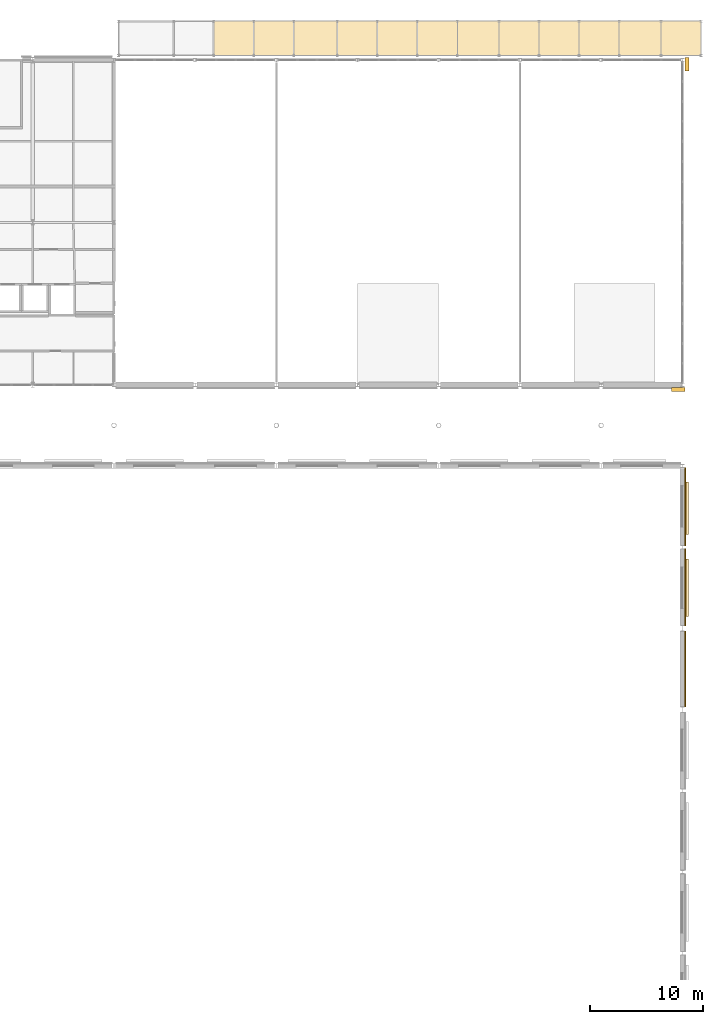
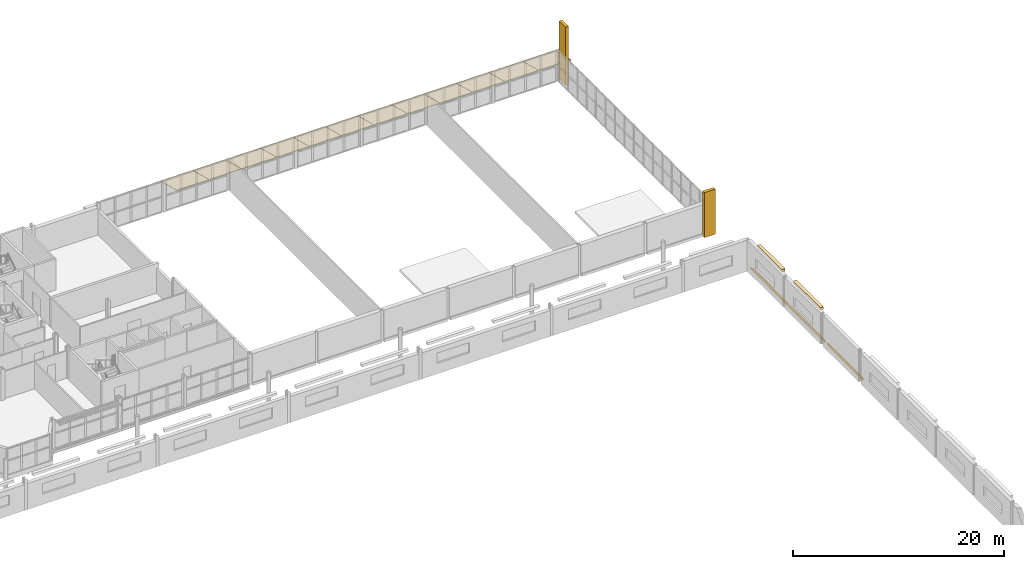
# One storey, part 120 of 124: 19 coverings.
"""IFC4 building model written with IfcOpenShell, lengths in metres."""

from ifc_helpers import new_model, si_unit, direction, frame, origin, origin_2d, place, context, subcontext, project, spatial, polyline, rectangle, outline, extrude, material, layer, layer_set, type_object, element, save


model = new_model("IFC4")

# Units and contexts
model_context = context("Model", 3, precision=1e-05, world=origin(), true_north=direction((0.0, 1.0)))
body_context = subcontext(model_context, "Body", "Model", "MODEL_VIEW")
ifc_project = project(units=[si_unit("LENGTHUNIT", "METRE"), si_unit("AREAUNIT", "SQUARE_METRE"), si_unit("VOLUMEUNIT", "CUBIC_METRE"), si_unit("PLANEANGLEUNIT", "RADIAN"), si_unit("MASSUNIT", "GRAM", prefix="KILO")], contexts=[model_context])

# Site, building, storey
site_placement = place(None, origin())
site = spatial("IfcSite", under=ifc_project, at=site_placement, CompositionType="ELEMENT")
building_placement = place(site_placement, origin())
building = spatial("IfcBuilding", under=site, at=building_placement, Name="Kupolbacken Congress Centre", CompositionType="ELEMENT")
storey_placement = place(building_placement, frame((0.0, 0.0, 10.800048828125)))
storey = spatial("IfcBuildingStorey", under=building, at=storey_placement, Name="L03", CompositionType="ELEMENT", Elevation=10.800048828125)

# Coverings
ifc_material_1 = material(Name="Brick cladding", Category="masonry")
ifc_layer_1 = layer(ifc_material_1, 0.10791015625)
ifc_layer_set_1 = layer_set([ifc_layer_1], Name="Brick cladding")
covering_type_1 = type_object("IfcCoveringType", Name="CV2 brick cladding band 108", PredefinedType="CLADDING", material=ifc_layer_set_1)
covering_1_placement = place(storey_placement, frame((201.864013671875, 97.199951171875, 0.0), z_axis=(0.0, 0.0, 1.0), x_axis=(0.0, 1.0, 0.0)))
element("IfcCovering", 1, at=covering_1_placement, inside=storey, type_object=covering_type_1, Name="E/H/E/L03/350/band", PredefinedType="CLADDING", context=body_context, shape_type="SweptSolid", body=[
    extrude(rectangle(XDim=6.7099609375, YDim=0.10791015625, at=origin_2d()), origin(), (0.0, 0.0, 1.0), 0.300048828125),
])
covering_2_placement = place(storey_placement, frame((201.864013671875, 104.449951171875, 0.0), z_axis=(0.0, 0.0, 1.0), x_axis=(0.0, 1.0, 0.0)))
element("IfcCovering", 2, at=covering_2_placement, inside=storey, type_object=covering_type_1, Name="E/H/E/L03/351/band", PredefinedType="CLADDING", context=body_context, shape_type="SweptSolid", body=[
    extrude(rectangle(XDim=6.81005859375, YDim=0.10791015625, at=origin_2d()), origin(), (0.0, 0.0, 1.0), 0.300048828125),
])
covering_3_placement = place(storey_placement, frame((201.864013671875, 111.60009765625, 0.0), z_axis=(0.0, 0.0, 1.0), x_axis=(0.0, 1.0, 0.0)))
element("IfcCovering", 3, at=covering_3_placement, inside=storey, type_object=covering_type_1, Name="E/H/E/L03/352/band", PredefinedType="CLADDING", context=body_context, shape_type="SweptSolid", body=[
    extrude(rectangle(XDim=6.909912109375, YDim=0.10791015625, at=origin_2d()), origin(), (0.0, 0.0, 1.0), 0.300048828125),
])
ifc_material_2 = material(Name="Limestone cladding", Category="masonry")
ifc_layer_2 = layer(ifc_material_2, 0.35009765625)
ifc_layer_set_2 = layer_set([ifc_layer_2], Name="Limestone cladding")
covering_type_2 = type_object("IfcCoveringType", Name="CV3 limestone pilaster strip 350", PredefinedType="CLADDING", material=ifc_layer_set_2)
covering_4_placement = place(storey_placement, frame((201.239990234375, 121.985107421875, 0.0), z_axis=(0.0, 0.0, 1.0), x_axis=(1.0, 0.0, 0.0)))
element("IfcCovering", 4, at=covering_4_placement, inside=storey, type_object=covering_type_2, Name="F/B/S/pil/09/0", PredefinedType="CLADDING", context=body_context, shape_type="SweptSolid", body=[
    extrude(rectangle(XDim=1.199951171875, YDim=0.35009765625, at=origin_2d()), origin(), (0.0, 0.0, 1.0), 5.199951171875),
])
covering_5_placement = place(storey_placement, frame((202.014892578125, 150.840087890625, 0.0), z_axis=(0.0, 0.0, 1.0), x_axis=(0.0, 1.0, 0.0)))
element("IfcCovering", 5, at=covering_5_placement, inside=storey, type_object=covering_type_2, Name="F/B/E/pil/04/0", PredefinedType="CLADDING", context=body_context, shape_type="SweptSolid", body=[
    extrude(rectangle(XDim=1.199951171875, YDim=0.35009765625, at=origin_2d()), origin(), (0.0, 0.0, 1.0), 6.699951171875),
])
covering_6_placement = place(storey_placement, frame((201.985107421875, 104.39990234375, 3.2998046875), z_axis=(0.0, 0.0, 1.0), x_axis=(0.0, 1.0, 0.0)))
element("IfcCovering", 6, at=covering_6_placement, inside=storey, type_object=covering_type_2, Name="F/HR/H/E/string/14.4/08/1", PredefinedType="CLADDING", context=body_context, shape_type="SweptSolid", body=[
    extrude(rectangle(XDim=5.10009765625, YDim=0.35009765625, at=origin_2d()), origin(), (0.0, 0.0, 1.0), 0.300048828125),
])
covering_7_placement = place(storey_placement, frame((201.985107421875, 111.43994140625, 3.2998046875), z_axis=(0.0, 0.0, 1.0), x_axis=(0.0, 1.0, 0.0)))
element("IfcCovering", 7, at=covering_7_placement, inside=storey, type_object=covering_type_2, Name="F/HR/H/E/string/14.4/09/1", PredefinedType="CLADDING", context=body_context, shape_type="SweptSolid", body=[
    extrude(rectangle(XDim=4.659912109375, YDim=0.35009765625, at=origin_2d()), origin(), (0.0, 0.0, 1.0), 0.300048828125),
])
ifc_material_3 = material(Name="Glass", Category="glass")
ifc_layer_3 = layer(ifc_material_3, 0.0439453125)
ifc_layer_set_3 = layer_set([ifc_layer_3], Name="Glass")
covering_type_3 = type_object("IfcCoveringType", Name="GC1 glazed canopy roof 44", PredefinedType="ROOFING", material=ifc_layer_set_3)
covering_8_placement = place(storey_placement, frame((160.050048828125, 151.60009765625, 1.64404296875), z_axis=(0.0, 0.253742379655, 0.967271836025), x_axis=(1.0, 0.0, 0.0)))
element("IfcCovering", 8, at=covering_8_placement, inside=storey, type_object=covering_type_3, Name="Covered passage glass", PredefinedType="ROOFING", context=body_context, shape_type="SweptSolid", body=[
    extrude(outline(polyline([(0.0, 0.0), (3.550048828125, 0.0), (3.550048828125, 3.152996473084161), (0.0, 3.152996473084161), (0.0, 0.0)])), origin(), (0.0, 0.0, -1.0), 0.0439453125),
])
covering_9_placement = place(storey_placement, frame((163.60009765625, 151.60009765625, 1.64404296875), z_axis=(0.0, 0.253742379655, 0.967271836025), x_axis=(1.0, 0.0, 0.0)))
element("IfcCovering", 9, at=covering_9_placement, inside=storey, type_object=covering_type_3, Name="Covered passage glass", PredefinedType="ROOFING", context=body_context, shape_type="SweptSolid", body=[
    extrude(outline(polyline([(0.0, 0.0), (3.5498046875, 0.0), (3.5498046875, 3.152996473084161), (0.0, 3.152996473084161), (0.0, 0.0)])), origin(), (0.0, 0.0, -1.0), 0.0439453125),
])
covering_10_placement = place(storey_placement, frame((167.14990234375, 151.60009765625, 1.64404296875), z_axis=(0.0, 0.253742379655, 0.967271836025), x_axis=(1.0, 0.0, 0.0)))
element("IfcCovering", 10, at=covering_10_placement, inside=storey, type_object=covering_type_3, Name="Covered passage glass", PredefinedType="ROOFING", context=body_context, shape_type="SweptSolid", body=[
    extrude(outline(polyline([(0.0, 0.0), (3.85009765625, 0.0), (3.85009765625, 3.152996473084161), (0.0, 3.152996473084161), (0.0, 0.0)])), origin(), (0.0, 0.0, -1.0), 0.0439453125),
])
for number, where, z_axis, x_axis, name in (
    (11, (171.0, 151.60009765625, 1.64404296875), (0.0, 0.253742379655, 0.967271836025), (1.0, 0.0, 0.0), "Covered passage glass"),
    (12, (174.550048828125, 151.60009765625, 1.64404296875), (0.0, 0.253742379655, 0.967271836025), (1.0, 0.0, 0.0), "Covered passage glass"),
):
    element("IfcCovering", number, at=place(storey_placement, frame(where, z_axis=z_axis, x_axis=x_axis)), inside=storey, type_object=covering_type_3, Name=name, PredefinedType="ROOFING", context=body_context, shape_type="SweptSolid", body=[
        extrude(outline(polyline([(0.0, 0.0), (3.550048828125, 0.0), (3.550048828125, 3.152996473084161), (0.0, 3.152996473084161), (0.0, 0.0)])), origin(), (0.0, 0.0, -1.0), 0.0439453125),
    ])
covering_11_placement = place(storey_placement, frame((178.10009765625, 151.60009765625, 1.64404296875), z_axis=(0.0, 0.253742379655, 0.967271836025), x_axis=(1.0, 0.0, 0.0)))
element("IfcCovering", 13, at=covering_11_placement, inside=storey, type_object=covering_type_3, Name="Covered passage glass", PredefinedType="ROOFING", context=body_context, shape_type="SweptSolid", body=[
    extrude(outline(polyline([(0.0, 0.0), (3.5498046875, 0.0), (3.5498046875, 3.152996473084161), (0.0, 3.152996473084161), (0.0, 0.0)])), origin(), (0.0, 0.0, -1.0), 0.0439453125),
])
covering_12_placement = place(storey_placement, frame((181.64990234375, 151.60009765625, 1.64404296875), z_axis=(0.0, 0.253742379655, 0.967271836025), x_axis=(1.0, 0.0, 0.0)))
element("IfcCovering", 14, at=covering_12_placement, inside=storey, type_object=covering_type_3, Name="Covered passage glass", PredefinedType="ROOFING", context=body_context, shape_type="SweptSolid", body=[
    extrude(outline(polyline([(0.0, 0.0), (3.7001953125, 0.0), (3.7001953125, 3.152996473084161), (0.0, 3.152996473084161), (0.0, 0.0)])), origin(), (0.0, 0.0, -1.0), 0.0439453125),
])
covering_13_placement = place(storey_placement, frame((185.35009765625, 151.60009765625, 1.64404296875), z_axis=(0.0, 0.253742379655, 0.967271836025), x_axis=(1.0, 0.0, 0.0)))
element("IfcCovering", 15, at=covering_13_placement, inside=storey, type_object=covering_type_3, Name="Covered passage glass", PredefinedType="ROOFING", context=body_context, shape_type="SweptSolid", body=[
    extrude(outline(polyline([(0.0, 0.0), (3.5498046875, 0.0), (3.5498046875, 3.152996473084161), (0.0, 3.152996473084161), (0.0, 0.0)])), origin(), (0.0, 0.0, -1.0), 0.0439453125),
])
for number, where, z_axis, x_axis, name in (
    (16, (188.89990234375, 151.60009765625, 1.64404296875), (0.0, 0.253742379655, 0.967271836025), (1.0, 0.0, 0.0), "Covered passage glass"),
    (17, (192.449951171875, 151.60009765625, 1.64404296875), (0.0, 0.253742379655, 0.967271836025), (1.0, 0.0, 0.0), "Covered passage glass"),
):
    element("IfcCovering", number, at=place(storey_placement, frame(where, z_axis=z_axis, x_axis=x_axis)), inside=storey, type_object=covering_type_3, Name=name, PredefinedType="ROOFING", context=body_context, shape_type="SweptSolid", body=[
        extrude(outline(polyline([(0.0, 0.0), (3.550048828125, 0.0), (3.550048828125, 3.152996473084161), (0.0, 3.152996473084161), (0.0, 0.0)])), origin(), (0.0, 0.0, -1.0), 0.0439453125),
    ])
covering_14_placement = place(storey_placement, frame((196.0, 151.60009765625, 1.64404296875), z_axis=(0.0, 0.253742379655, 0.967271836025), x_axis=(1.0, 0.0, 0.0)))
element("IfcCovering", 18, at=covering_14_placement, inside=storey, type_object=covering_type_3, Name="Covered passage glass", PredefinedType="ROOFING", context=body_context, shape_type="SweptSolid", body=[
    extrude(outline(polyline([(0.0, 0.0), (3.699951171875, 0.0), (3.699951171875, 3.152996473084161), (0.0, 3.152996473084161), (0.0, 0.0)])), origin(), (0.0, 0.0, -1.0), 0.0439453125),
])
covering_15_placement = place(storey_placement, frame((199.699951171875, 151.60009765625, 1.64404296875), z_axis=(0.0, 0.253742379655, 0.967271836025), x_axis=(1.0, 0.0, 0.0)))
element("IfcCovering", 19, at=covering_15_placement, inside=storey, type_object=covering_type_3, Name="Covered passage glass", PredefinedType="ROOFING", context=body_context, shape_type="SweptSolid", body=[
    extrude(outline(polyline([(0.0, 0.0), (3.550048828125, 0.0), (3.550048828125, 3.152996473084161), (0.0, 3.152996473084161), (0.0, 0.0)])), origin(), (0.0, 0.0, -1.0), 0.0439453125),
])

save(model, "model.ifc")
